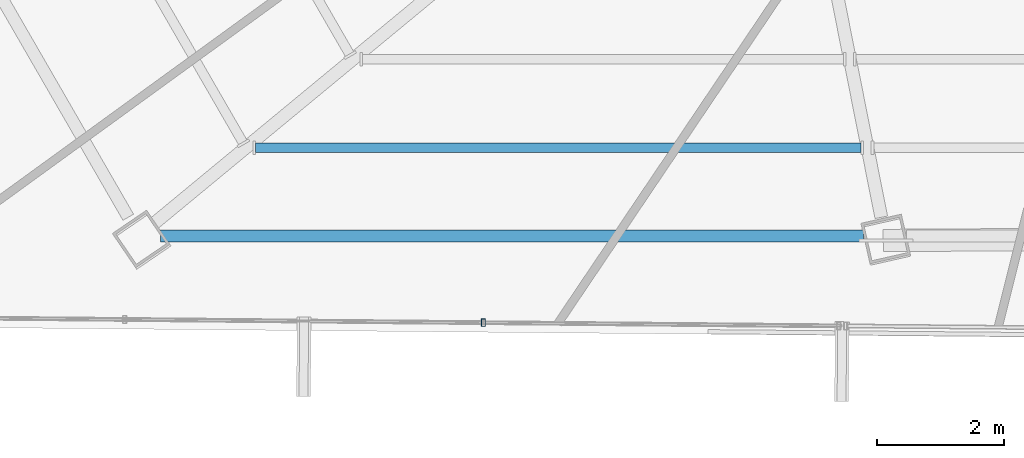
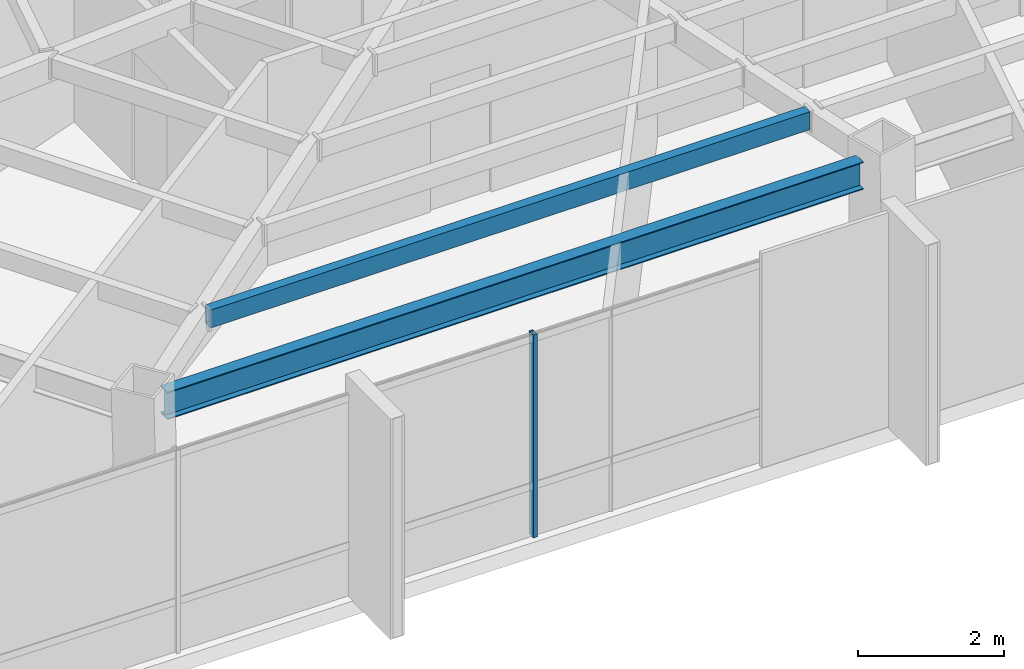
# One storey, part 5 of 45: 2 beams, 1 member, 1 element without a shape of its own.
"""IFC4 building model written with IfcOpenShell, lengths in metres."""

import ifcopenshell
import ifcopenshell.guid

model = None  # the IFC model being written
_history = None  # IfcOwnerHistory: only IFC2X3 demands one
_inside = {}  # id of a spatial element -> (the spatial element, [elements in it])
_under = {}  # id of a project, library or spatial element -> (it, [spatial elements below it])
_declared = {}  # id of a project -> (the project, [libraries it declares])
_typed = {}  # id of a type object -> (the type object, [elements of that type])
_made_of = {}  # id of a material, layer set ... -> (it, [elements and type objects made of it])


def new_model(schema):
    """Start an empty IFC model of exactly this schema.

    Asked for "IFC4X3", IfcOpenShell would pick the latest addendum, in which some entities
    have other attributes; the version numbers below select the first issue.
    IFC2X3 requires an IfcOwnerHistory on every rooted entity: one is made here for all.
    """
    global model, _history
    if schema == "IFC4X3":
        model = ifcopenshell.file(schema_version=(4, 3, 0, 0))
    else:
        model = ifcopenshell.file(schema=schema)
    _inside.clear()
    _under.clear()
    _declared.clear()
    _typed.clear()
    _made_of.clear()
    _history = None
    if model.schema == "IFC2X3":
        org = make("IfcOrganization", Name="unknown")
        user = make(
            "IfcPersonAndOrganization",
            ThePerson=make("IfcPerson", FamilyName="unknown"),
            TheOrganization=org,
        )
        app = make(
            "IfcApplication",
            ApplicationDeveloper=org,
            Version="unknown",
            ApplicationFullName="unknown",
            ApplicationIdentifier="unknown",
        )
        _history = make(
            "IfcOwnerHistory",
            OwningUser=user,
            OwningApplication=app,
            ChangeAction="ADDED",
            CreationDate=0,
        )
    return model


def make(cls, **values):
    """One entity of the class cls with the attributes given. An attribute that is None is left unset."""
    return model.create_entity(
        cls, **{name: value for name, value in values.items() if value is not None}
    )


def rooted(cls, **values):
    """An entity with a GlobalId (a new one), such as an element, a storey or a relation."""
    return make(cls, GlobalId=ifcopenshell.guid.new(), OwnerHistory=_history, **values)


def si_unit(unit_type, name, prefix=None):
    """IfcSIUnit, for example si_unit("LENGTHUNIT", "METRE", prefix="MILLI")."""
    return make("IfcSIUnit", UnitType=unit_type, Prefix=prefix, Name=name)


def assignment(units):
    """IfcUnitAssignment: the units of a project."""
    return None if units is None else make("IfcUnitAssignment", Units=units)


def point(xyz):
    """IfcCartesianPoint."""
    return None if xyz is None else make("IfcCartesianPoint", Coordinates=xyz)


def direction(xyz):
    """IfcDirection."""
    return None if xyz is None else make("IfcDirection", DirectionRatios=xyz)


def frame(location, z_axis=None, x_axis=None):
    """IfcAxis2Placement3D, a coordinate frame: its origin and axes. An axis left out is left unset."""
    return make(
        "IfcAxis2Placement3D",
        Location=point(location),
        Axis=direction(z_axis),
        RefDirection=direction(x_axis),
    )


def frame_2d(location, x_axis=None):
    """IfcAxis2Placement2D, a coordinate frame in the plane: its origin and x axis."""
    return make(
        "IfcAxis2Placement2D", Location=point(location), RefDirection=direction(x_axis)
    )


def origin():
    """The frame at (0, 0, 0) with its axes left unset."""
    return frame((0.0, 0.0, 0.0))


def origin_2d():
    """The frame at (0, 0) in the plane with its x axis left unset."""
    return frame_2d((0.0, 0.0))


def place(relative_to, where):
    """IfcLocalPlacement: puts the frame where relative to a parent placement (None: the world)."""
    return make(
        "IfcLocalPlacement", PlacementRelTo=relative_to, RelativePlacement=where
    )


def context(
    kind, dimensions, precision=None, world=None, true_north=None, identifier=None
):
    """IfcGeometricRepresentationContext, for example the 3D "Model" context."""
    return make(
        "IfcGeometricRepresentationContext",
        ContextIdentifier=identifier,
        ContextType=kind,
        CoordinateSpaceDimension=dimensions,
        Precision=precision,
        WorldCoordinateSystem=world,
        TrueNorth=true_north,
    )


def subcontext(parent, identifier, kind, view, scale=None):
    """IfcGeometricRepresentationSubContext, for example "Body" below "Model"."""
    return make(
        "IfcGeometricRepresentationSubContext",
        ContextIdentifier=identifier,
        ContextType=kind,
        ParentContext=parent,
        TargetScale=scale,
        TargetView=view,
    )


def project(units=None, contexts=None):
    """IfcProject with its units and contexts."""
    return rooted(
        "IfcProject",
        Name="project",
        RepresentationContexts=contexts,
        UnitsInContext=assignment(units),
    )


def spatial(cls, under=None, at=None, **own):
    """A site, building, storey or space (cls), placed at a placement, below another one or the project."""
    s = rooted(cls, ObjectPlacement=at, **own)
    if under is not None:
        _under.setdefault(under.id(), (under, []))[1].append(s)
    return s


def profile(cls, at=None, kind="AREA", **sizes):
    """A parametric profile (cls). Its sizes go by their IFC names, for example OverallWidth=200.0."""
    return make(cls, ProfileType=kind, Position=at, **sizes)


def hollow_rectangle(**sizes):
    """IfcRectangleHollowProfileDef."""
    return profile("IfcRectangleHollowProfileDef", **sizes)


def i_section(**sizes):
    """IfcIShapeProfileDef."""
    return profile("IfcIShapeProfileDef", **sizes)


def extrude(swept, where, along, depth):
    """IfcExtrudedAreaSolid: the profile swept, set in the frame where, extruded along a direction by depth."""
    return make(
        "IfcExtrudedAreaSolid",
        SweptArea=swept,
        Position=where,
        ExtrudedDirection=direction(along),
        Depth=depth,
    )


def shape(context_of_items, identifier, shape_type, items):
    """IfcShapeRepresentation: the items that make up one representation, for example the "Body"."""
    return make(
        "IfcShapeRepresentation",
        ContextOfItems=context_of_items,
        RepresentationIdentifier=identifier,
        RepresentationType=shape_type,
        Items=items,
    )


def source(mapping_origin, context_of_items, identifier, shape_type, items):
    """IfcRepresentationMap: a shape defined once, which mapped items show again and again."""
    return make(
        "IfcRepresentationMap",
        MappingOrigin=mapping_origin,
        MappedRepresentation=shape(context_of_items, identifier, shape_type, items),
    )


def transform(
    local_origin,
    x_axis=None,
    y_axis=None,
    z_axis=None,
    scale=None,
    scale2=None,
    scale3=None,
    uniform=True,
):
    """IfcCartesianTransformationOperator3D, or its non-uniform kind. x_axis, y_axis, z_axis: its Axis1, 2, 3."""
    if uniform:
        return make(
            "IfcCartesianTransformationOperator3D",
            Axis1=direction(x_axis),
            Axis2=direction(y_axis),
            LocalOrigin=point(local_origin),
            Scale=scale,
            Axis3=direction(z_axis),
        )
    return make(
        "IfcCartesianTransformationOperator3DnonUniform",
        Axis1=direction(x_axis),
        Axis2=direction(y_axis),
        LocalOrigin=point(local_origin),
        Scale=scale,
        Axis3=direction(z_axis),
        Scale2=scale2,
        Scale3=scale3,
    )


def mapped(mapping_source, mapping_target):
    """IfcMappedItem: shows the shape of a source again, moved by a transform."""
    return make(
        "IfcMappedItem", MappingSource=mapping_source, MappingTarget=mapping_target
    )


def material(Name=None, Category=None):
    """IfcMaterial."""
    return make("IfcMaterial", Name=Name, Category=Category)


def material_profile(
    of_material, cross_section, Name=None, Category=None, Priority=None
):
    """IfcMaterialProfile: a cross section and its material."""
    return make(
        "IfcMaterialProfile",
        Name=Name,
        Material=of_material,
        Profile=cross_section,
        Priority=Priority,
        Category=Category,
    )


def profile_set(profiles, Name=None, composite=None):
    """IfcMaterialProfileSet."""
    return make(
        "IfcMaterialProfileSet",
        Name=Name,
        MaterialProfiles=profiles,
        CompositeProfile=composite,
    )


def made_of(thing, what):
    """Note that an element or type object is made of a material, layer set ...; save() writes the relation."""
    if what is not None:
        _made_of.setdefault(what.id(), (what, []))[1].append(thing)
    return thing


def type_object(cls, material=None, **own):
    """A type object (cls), such as IfcWallType, which elements share."""
    return made_of(rooted(cls, **own), material)


def type_shapes(of_type, sources):
    """Give a type object the sources (RepresentationMaps) that its elements show as mapped items."""
    of_type.RepresentationMaps = sources


def element(
    cls,
    number,
    at=None,
    inside=None,
    cuts=None,
    type_object=None,
    material=None,
    context=None,
    identifier="Body",
    shape_type=None,
    held_by="IfcProductDefinitionShape",
    body=None,
    shapes=None,
    **own,
):
    """One element of the class cls, such as IfcWall. Its Tag is "e" and its number.

    at: its placement. inside: the storey or other place that contains it. cuts: it is an
    opening in that element (IfcRelVoidsElement). A single representation is given by context,
    identifier, shape_type and body (its items); several are given by shapes. held_by: the class
    of the entity that holds the representations. save() writes the other relations.
    """
    e = rooted(cls, Tag="e%d" % number, ObjectPlacement=at, **own)
    if body is not None:
        shapes = [shape(context, identifier, shape_type, body)]
    if shapes is not None:
        e.Representation = make(held_by, Representations=shapes)
    if inside is not None:
        _inside.setdefault(inside.id(), (inside, []))[1].append(e)
    if cuts is not None:
        rooted(
            "IfcRelVoidsElement", RelatingBuildingElement=cuts, RelatedOpeningElement=e
        )
    if type_object is not None:
        _typed.setdefault(type_object.id(), (type_object, []))[1].append(e)
    return made_of(e, material)


def aggregate(whole, parts):
    """IfcRelAggregates: a whole, such as a stair, and the parts it consists of."""
    return rooted("IfcRelAggregates", RelatingObject=whole, RelatedObjects=parts)


def save(model, path):
    """Write the relations noted so far, then the file.

    IfcRelAggregates (storeys below a building ...), IfcRelContainedInSpatialStructure (elements
    in a storey), IfcRelDefinesByType, IfcRelAssociatesMaterial and IfcRelDeclares: one each for
    every whole, place, type object, material and project.
    """
    for whole, parts in _under.values():
        aggregate(whole, parts)
    for where, things in _inside.values():
        rooted(
            "IfcRelContainedInSpatialStructure",
            RelatedElements=things,
            RelatingStructure=where,
        )
    for kind, things in _typed.values():
        rooted("IfcRelDefinesByType", RelatedObjects=things, RelatingType=kind)
    for what, things in _made_of.values():
        rooted("IfcRelAssociatesMaterial", RelatedObjects=things, RelatingMaterial=what)
    for by, libraries in _declared.values():
        rooted("IfcRelDeclares", RelatingContext=by, RelatedDefinitions=libraries)
    model.write(path)


model = new_model("IFC4")

# Units and contexts
model_context = context("Model", 3, precision=1e-05, world=origin(), true_north=direction((0.0, 1.0)))
body_context = subcontext(model_context, "Body", "Model", "MODEL_VIEW")
ifc_project = project(units=[si_unit("LENGTHUNIT", "METRE"), si_unit("AREAUNIT", "SQUARE_METRE"), si_unit("VOLUMEUNIT", "CUBIC_METRE"), si_unit("PLANEANGLEUNIT", "RADIAN"), si_unit("MASSUNIT", "GRAM", prefix="KILO")], contexts=[model_context])

# Site, building, storey
site_placement = place(None, origin())
site = spatial("IfcSite", under=ifc_project, at=site_placement, CompositionType="ELEMENT")
building_placement = place(site_placement, origin())
building = spatial("IfcBuilding", under=site, at=building_placement, Name="Caelisora Broadcast Tower", CompositionType="ELEMENT")
storey_placement = place(building_placement, frame((0.0, 0.0, 240.800048828125)))
storey = spatial("IfcBuildingStorey", under=building, at=storey_placement, Name="L63", CompositionType="ELEMENT", Elevation=240.800048828125)

# Beams
ifc_material_1 = material(Name="Steel Grade 350 (AS/NZS 3679.1)", Category="steel")
ifc_material_profile_1 = material_profile(ifc_material_1, i_section(OverallWidth=0.19091796875, OverallDepth=0.46044921875, WebThickness=0.010009765625, FlangeThickness=0.01611328125, at=origin_2d()), Name="Steel Grade 350 (AS/NZS 3679.1)")
ifc_profile_set_1 = profile_set([ifc_material_profile_1], Name="Steel Grade 350 (AS/NZS 3679.1)")
beam_type_1 = type_object("IfcBeamType", Name="PG06", PredefinedType="BEAM", material=ifc_profile_set_1)
shared_shape_1 = source(origin(), body_context, "Body", "SweptSolid", [
    extrude(i_section(OverallWidth=0.19091796875, OverallDepth=0.46044921875, WebThickness=0.010009765625, FlangeThickness=0.01611328125, at=origin_2d()), origin(), (0.0, 0.0, 1.0), 11.02587890625),
])
type_shapes(beam_type_1, [shared_shape_1])
beam_1_placement = place(storey_placement, frame((20.78515625, 9.09521484375, 3.169677734375), z_axis=(1.0, 0.0, 0.0), x_axis=(0.0, 1.0, 0.0)))
element("IfcBeam", 1, at=beam_1_placement, inside=storey, type_object=beam_type_1, Name="L63 beam PG06", PredefinedType="BEAM", context=body_context, shape_type="MappedRepresentation", body=[
    mapped(shared_shape_1, transform((0.0, 0.0, 0.0), scale=1.0)),
])
ifc_material_2 = material(Name="Steel Grade 350 (AS/NZS 1163 C350L0)", Category="steel")
ifc_material_profile_2 = material_profile(ifc_material_2, hollow_rectangle(XDim=0.14990234375, YDim=0.300048828125, WallThickness=0.010009765625, at=origin_2d()), Name="Steel Grade 350 (AS/NZS 1163 C350L0)")
ifc_profile_set_2 = profile_set([ifc_material_profile_2], Name="Steel Grade 350 (AS/NZS 1163 C350L0)")
beam_type_2 = type_object("IfcBeamType", Name="SB05", PredefinedType="JOIST", material=ifc_profile_set_2)
shared_shape_2 = source(origin(), body_context, "Body", "SweptSolid", [
    extrude(hollow_rectangle(XDim=0.14990234375, YDim=0.300048828125, WallThickness=0.010009765625, at=origin_2d()), origin(), (0.0, 0.0, 1.0), 9.49853515625),
])
type_shapes(beam_type_2, [shared_shape_2])
beam_2_placement = place(storey_placement, frame((22.276611328125, 10.479248046875, 3.25), z_axis=(1.0, 0.0, 0.0), x_axis=(0.0, 1.0, 0.0)))
element("IfcBeam", 2, at=beam_2_placement, inside=storey, type_object=beam_type_2, Name="L63 beam SB05", PredefinedType="JOIST", context=body_context, shape_type="MappedRepresentation", body=[
    mapped(shared_shape_2, transform((0.0, 0.0, 0.0), scale=1.0)),
])

# Curtain wall, member
ifc_material_3 = material(Name="Unitised Aluminium and Low-E Glass Curtain Wall", Category="glass")
curtain_wall_type = type_object("IfcCurtainWallType", Name="CW-Z5", PredefinedType="NOTDEFINED", material=ifc_material_3)
curtain_wall_placement = place(storey_placement, origin())
curtain_wall = element("IfcCurtainWall", 3, at=curtain_wall_placement, inside=storey, type_object=curtain_wall_type, Name="L63 curtain wall CW-Z5", PredefinedType="NOTDEFINED")
ifc_material_4 = material(Name="Aluminium 6063-T6 Anodised Terracotta Bronze", Category="aluminium")
ifc_material_profile_3 = material_profile(ifc_material_4, hollow_rectangle(XDim=0.06005859375, YDim=0.1201171875, WallThickness=0.0029296875, at=origin_2d()), Name="Aluminium 6063-T6 Anodised Terracotta Bronze")
ifc_profile_set_3 = profile_set([ifc_material_profile_3], Name="Aluminium 6063-T6 Anodised Terracotta Bronze")
member_type = type_object("IfcMemberType", Name="CWM-04", PredefinedType="MULLION", material=ifc_profile_set_3)
shared_shape_3 = source(origin(), body_context, "Body", "SweptSolid", [
    extrude(hollow_rectangle(XDim=0.06005859375, YDim=0.1201171875, WallThickness=0.0029296875, at=origin_2d()), origin(), (0.0, 0.0, 1.0), 3.39990234375),
])
type_shapes(member_type, [shared_shape_3])
member_placement = place(storey_placement, frame((25.847900390625, 7.734130859375, 0.0), z_axis=(0.0, 0.0, 1.0), x_axis=(1.0, 0.0, 0.0)))
member = element("IfcMember", 4, at=member_placement, type_object=member_type, Name="L63-CW-B07 mullion #1", PredefinedType="MULLION", context=body_context, shape_type="MappedRepresentation", body=[
    mapped(shared_shape_3, transform((0.0, 0.0, 0.0), scale=1.0)),
])
aggregate(curtain_wall, [member])

save(model, "model.ifc")
